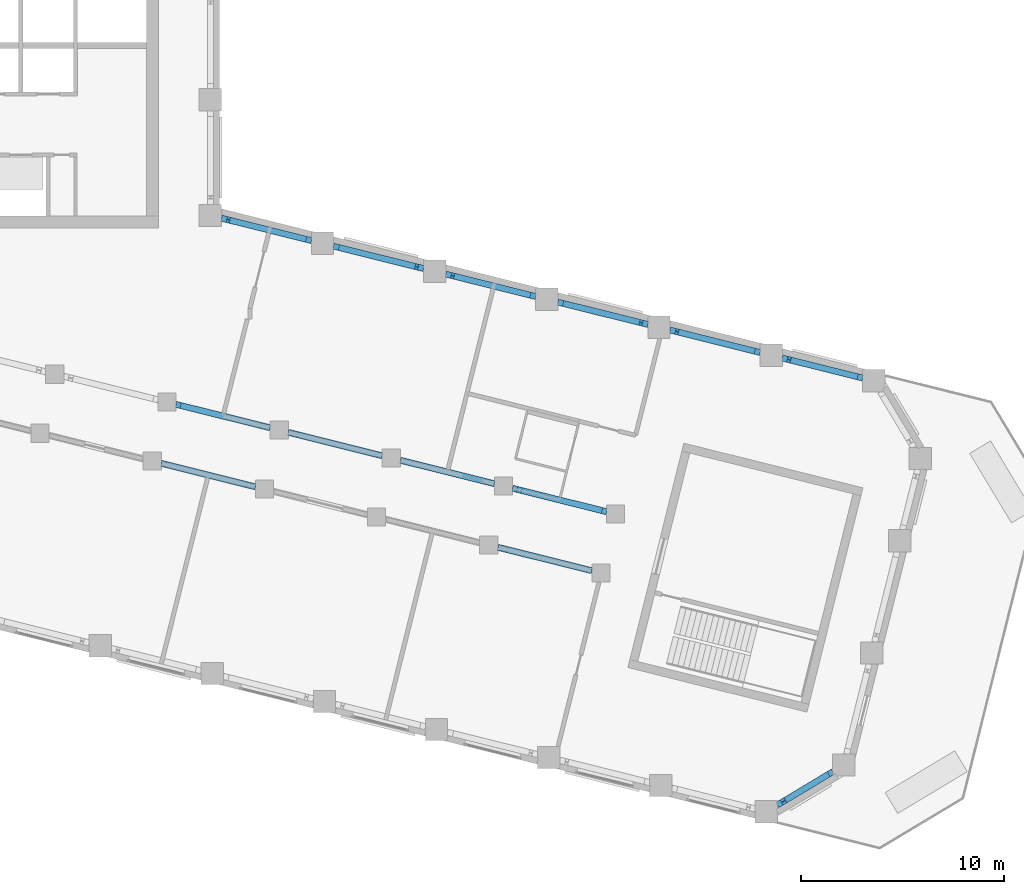
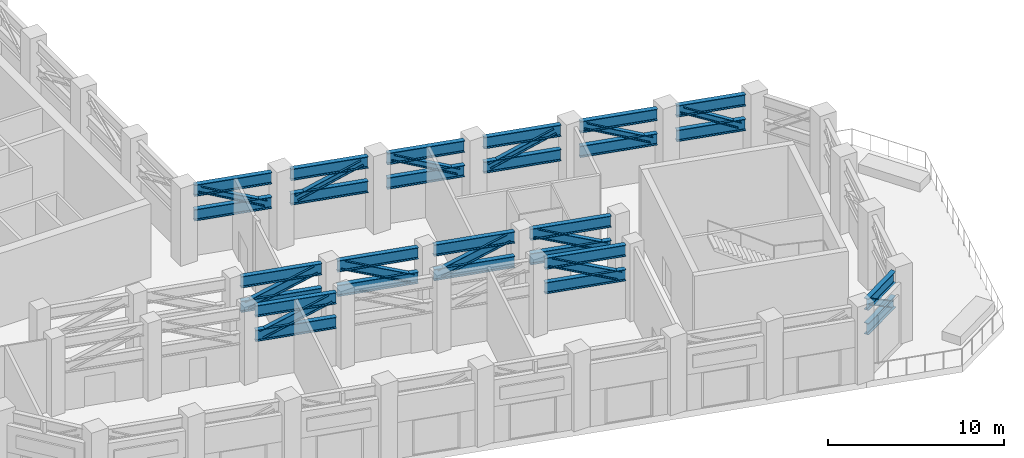
# One storey, part 5 of 21: 26 beams, 13 members.
"""IFC4 building model written with IfcOpenShell, lengths in metres."""

from ifc_helpers import new_model, si_unit, direction, frame, origin, origin_2d, place, context, subcontext, project, spatial, i_section, extrude, material, material_profile, profile_set, type_object, element, save


model = new_model("IFC4")

# Units and contexts
model_context = context("Model", 3, precision=1e-05, world=origin(), true_north=direction((0.0, 1.0)))
body_context = subcontext(model_context, "Body", "Model", "MODEL_VIEW")
ifc_project = project(units=[si_unit("LENGTHUNIT", "METRE"), si_unit("AREAUNIT", "SQUARE_METRE"), si_unit("VOLUMEUNIT", "CUBIC_METRE"), si_unit("PLANEANGLEUNIT", "RADIAN"), si_unit("MASSUNIT", "GRAM", prefix="KILO")], contexts=[model_context])

# Site, building, storey
site_placement = place(None, origin())
site = spatial("IfcSite", under=ifc_project, at=site_placement, CompositionType="ELEMENT")
building_placement = place(site_placement, origin())
building = spatial("IfcBuilding", under=site, at=building_placement, Name="Meshkara Civic Tower", CompositionType="ELEMENT")
storey_placement = place(building_placement, frame((0.0, 0.0, 284.39990234375)))
storey = spatial("IfcBuildingStorey", under=building, at=storey_placement, Name="L65", CompositionType="ELEMENT", Elevation=284.39990234375)

# Beams
ifc_material_1 = material(Name="Steel S355", Category="steel")
ifc_material_profile_1 = material_profile(ifc_material_1, i_section(OverallWidth=0.300048828125, OverallDepth=0.800048828125, WebThickness=0.017578125, FlangeThickness=0.032958984375, FilletRadius=0.030029296875, at=origin_2d()))
ifc_profile_set_1 = profile_set([ifc_material_profile_1], Name="Steel S355")
beam_type_1 = type_object("IfcBeamType", Name="Belt truss chord HEB 800 S355", PredefinedType="BEAM", material=ifc_profile_set_1)
for number, where, z_axis, x_axis, name in (
    (1, (60.4580078125, 7.9599609375, 4.7001953125), (-0.970286696562, 0.241958108925, 0.0), (-0.241958108925, -0.970286696562, 0.0), "Belt truss chord BBN05-BN04"),
    (2, (60.4580078125, 7.9599609375, 3.0), (-0.970286696562, 0.241958108925, 0.0), (-0.241958108925, -0.970286696562, 0.0), "Belt truss chord BBN05-BN04"),
):
    element("IfcBeam", number, at=place(storey_placement, frame(where, z_axis=z_axis, x_axis=x_axis)), inside=storey, type_object=beam_type_1, Name=name, PredefinedType="BEAM", context=body_context, shape_type="SweptSolid", body=[
        extrude(i_section(OverallWidth=0.300048828125, OverallDepth=0.800048828125, WebThickness=0.017578125, FlangeThickness=0.032958984375, FilletRadius=0.030029296875, at=origin_2d()), origin(), (0.0, 0.0, 1.0), 4.575927734375),
    ])
for number, where, z_axis, x_axis, name in (
    (3, (54.927978515625, 9.3388671875, 4.7001953125), (-0.970299186733, 0.241908016044, 0.0), (-0.241908016044, -0.970299186733, 0.0), "Belt truss chord BBN04-BN03"),
    (4, (54.927978515625, 9.3388671875, 3.0), (-0.970299186733, 0.241908016044, 0.0), (-0.241908016044, -0.970299186733, 0.0), "Belt truss chord BBN04-BN03"),
    (5, (49.39697265625, 10.718017578125, 4.7001953125), (-0.970299186733, 0.241908016044, 0.0), (-0.241908016044, -0.970299186733, 0.0), "Belt truss chord BBN03-BN02"),
    (6, (49.39697265625, 10.718017578125, 3.0), (-0.970299186733, 0.241908016044, 0.0), (-0.241908016044, -0.970299186733, 0.0), "Belt truss chord BBN03-BN02"),
):
    element("IfcBeam", number, at=place(storey_placement, frame(where, z_axis=z_axis, x_axis=x_axis)), inside=storey, type_object=beam_type_1, Name=name, PredefinedType="BEAM", context=body_context, shape_type="SweptSolid", body=[
        extrude(i_section(OverallWidth=0.300048828125, OverallDepth=0.800048828125, WebThickness=0.017578125, FlangeThickness=0.032958984375, FilletRadius=0.030029296875, at=origin_2d()), origin(), (0.0, 0.0, 1.0), 4.576904296875),
    ])
for number, where, z_axis, x_axis, name in (
    (7, (43.865966796875, 12.096923828125, 4.7001953125), (-0.970286696562, 0.241958108925, 0.0), (-0.241958108925, -0.970286696562, 0.0), "Belt truss chord BBN02-BN01"),
    (8, (43.865966796875, 12.096923828125, 3.0), (-0.970286696562, 0.241958108925, 0.0), (-0.241958108925, -0.970286696562, 0.0), "Belt truss chord BBN02-BN01"),
):
    element("IfcBeam", number, at=place(storey_placement, frame(where, z_axis=z_axis, x_axis=x_axis)), inside=storey, type_object=beam_type_1, Name=name, PredefinedType="BEAM", context=body_context, shape_type="SweptSolid", body=[
        extrude(i_section(OverallWidth=0.300048828125, OverallDepth=0.800048828125, WebThickness=0.017578125, FlangeThickness=0.032958984375, FilletRadius=0.030029296875, at=origin_2d()), origin(), (0.0, 0.0, 1.0), 4.575927734375),
    ])
for number, where, z_axis, x_axis, name in (
    (9, (38.3359375, 13.475830078125, 4.7001953125), (-0.970299186733, 0.241908016044, 0.0), (-0.241908016044, -0.970299186733, 0.0), "Belt truss chord BBN01-HE00"),
    (10, (38.3359375, 13.475830078125, 3.0), (-0.970299186733, 0.241908016044, 0.0), (-0.241908016044, -0.970299186733, 0.0), "Belt truss chord BBN01-HE00"),
):
    element("IfcBeam", number, at=place(storey_placement, frame(where, z_axis=z_axis, x_axis=x_axis)), inside=storey, type_object=beam_type_1, Name=name, PredefinedType="BEAM", context=body_context, shape_type="SweptSolid", body=[
        extrude(i_section(OverallWidth=0.300048828125, OverallDepth=0.800048828125, WebThickness=0.017578125, FlangeThickness=0.032958984375, FilletRadius=0.030029296875, at=origin_2d()), origin(), (0.0, 0.0, 1.0), 4.576904296875),
    ])
for number, where, z_axis, x_axis, name in (
    (11, (61.311767578125, -14.35888671875, 4.7001953125), (0.856992774951, 0.515328423126, 0.0), (-0.515328423126, 0.856992774951, 0.0), "Belt truss chord BBSEP4-BToEP4"),
    (12, (61.311767578125, -14.35888671875, 3.0), (0.856992774951, 0.515328423126, 0.0), (-0.515328423126, 0.856992774951, 0.0), "Belt truss chord BBSEP4-BToEP4"),
):
    element("IfcBeam", number, at=place(storey_placement, frame(where, z_axis=z_axis, x_axis=x_axis)), inside=storey, type_object=beam_type_1, Name=name, PredefinedType="BEAM", context=body_context, shape_type="SweptSolid", body=[
        extrude(i_section(OverallWidth=0.300048828125, OverallDepth=0.800048828125, WebThickness=0.017578125, FlangeThickness=0.032958984375, FilletRadius=0.030029296875, at=origin_2d()), origin(), (0.0, 0.0, 1.0), 3.189697265625),
    ])
for number, where, z_axis, x_axis, name in (
    (13, (65.517822265625, 6.697998046875, 4.7001953125), (-0.970282744603, 0.241973956296, 0.0), (-0.241973956296, -0.970282744603, 0.0), "Belt truss chord BBTi00-P4-BN05"),
    (14, (65.517822265625, 6.697998046875, 3.0), (-0.970282744603, 0.241973956296, 0.0), (-0.241973956296, -0.970282744603, 0.0), "Belt truss chord BBTi00-P4-BN05"),
):
    element("IfcBeam", number, at=place(storey_placement, frame(where, z_axis=z_axis, x_axis=x_axis)), inside=storey, type_object=beam_type_1, Name=name, PredefinedType="BEAM", context=body_context, shape_type="SweptSolid", body=[
        extrude(i_section(OverallWidth=0.300048828125, OverallDepth=0.800048828125, WebThickness=0.017578125, FlangeThickness=0.032958984375, FilletRadius=0.030029296875, at=origin_2d()), origin(), (0.0, 0.0, 1.0), 4.09130859375),
    ])
ifc_material_2 = material(Name="Steel S355", Category="steel")
ifc_material_profile_2 = material_profile(ifc_material_2, i_section(OverallWidth=0.300048828125, OverallDepth=0.7900390625, WebThickness=0.014892578125, FlangeThickness=0.028076171875, FilletRadius=0.030029296875, at=origin_2d()))
ifc_profile_set_2 = profile_set([ifc_material_profile_2], Name="Steel S355")
beam_type_2 = type_object("IfcBeamType", Name="Outrigger chord HEA 800 S355", PredefinedType="BEAM", material=ifc_profile_set_2)
for number, where, z_axis, x_axis, name in (
    (15, (30.93017578125, 2.490966796875, 4.705078125), (0.970298442389, -0.241911001604, 0.0), (0.241911001604, 0.970298442389, 0.0), "Outrigger chord OSB1-SB1-02-SB1-03"),
    (16, (30.93017578125, 2.490966796875, 3.005126953125), (0.970298442389, -0.241911001604, 0.0), (0.241911001604, 0.970298442389, 0.0), "Outrigger chord OSB1-SB1-02-SB1-03"),
    (17, (47.522216796875, -1.64599609375, 4.705078125), (0.970298442389, -0.241911001604, 0.0), (0.241911001604, 0.970298442389, 0.0), "Outrigger chord OSB1-SB1-05-SB1-06"),
    (18, (47.522216796875, -1.64599609375, 3.005126953125), (0.970298442389, -0.241911001604, 0.0), (0.241911001604, 0.970298442389, 0.0), "Outrigger chord OSB1-SB1-05-SB1-06"),
):
    element("IfcBeam", number, at=place(storey_placement, frame(where, z_axis=z_axis, x_axis=x_axis)), inside=storey, type_object=beam_type_2, Name=name, PredefinedType="BEAM", context=body_context, shape_type="SweptSolid", body=[
        extrude(i_section(OverallWidth=0.300048828125, OverallDepth=0.7900390625, WebThickness=0.014892578125, FlangeThickness=0.028076171875, FilletRadius=0.030029296875, at=origin_2d()), origin(), (0.0, 0.0, 1.0), 4.78271484375),
    ])
for number, where, z_axis, x_axis, name in (
    (19, (31.656005859375, 5.402099609375, 4.705078125), (0.970301429476, -0.241899020164, 0.0), (0.241899020164, 0.970301429476, 0.0), "Outrigger chord OSB2-SB2-02-SB2-03"),
    (20, (31.656005859375, 5.402099609375, 3.005126953125), (0.970301429476, -0.241899020164, 0.0), (0.241899020164, 0.970301429476, 0.0), "Outrigger chord OSB2-SB2-02-SB2-03"),
):
    element("IfcBeam", number, at=place(storey_placement, frame(where, z_axis=z_axis, x_axis=x_axis)), inside=storey, type_object=beam_type_2, Name=name, PredefinedType="BEAM", context=body_context, shape_type="SweptSolid", body=[
        extrude(i_section(OverallWidth=0.300048828125, OverallDepth=0.7900390625, WebThickness=0.014892578125, FlangeThickness=0.028076171875, FilletRadius=0.030029296875, at=origin_2d()), origin(), (0.0, 0.0, 1.0), 4.782958984375),
    ])
for number, where, z_axis, x_axis, name in (
    (21, (37.18701171875, 4.02294921875, 4.705078125), (0.970289478464, -0.241946952825, 0.0), (0.241946952825, 0.970289478464, 0.0), "Outrigger chord OSB2-SB2-03-SB2-04"),
    (22, (37.18701171875, 4.02294921875, 3.005126953125), (0.970289478464, -0.241946952825, 0.0), (0.241946952825, 0.970289478464, 0.0), "Outrigger chord OSB2-SB2-03-SB2-04"),
):
    element("IfcBeam", number, at=place(storey_placement, frame(where, z_axis=z_axis, x_axis=x_axis)), inside=storey, type_object=beam_type_2, Name=name, PredefinedType="BEAM", context=body_context, shape_type="SweptSolid", body=[
        extrude(i_section(OverallWidth=0.300048828125, OverallDepth=0.7900390625, WebThickness=0.014892578125, FlangeThickness=0.028076171875, FilletRadius=0.030029296875, at=origin_2d()), origin(), (0.0, 0.0, 1.0), 4.781982421875),
    ])
for number, where, z_axis, x_axis, name in (
    (23, (42.717041015625, 2.64404296875, 4.705078125), (0.970301429476, -0.241899020164, 0.0), (0.241899020164, 0.970301429476, 0.0), "Outrigger chord OSB2-SB2-04-SB2-05"),
    (24, (42.717041015625, 2.64404296875, 3.005126953125), (0.970301429476, -0.241899020164, 0.0), (0.241899020164, 0.970301429476, 0.0), "Outrigger chord OSB2-SB2-04-SB2-05"),
    (25, (48.248046875, 1.264892578125, 4.705078125), (0.970301429476, -0.241899020164, 0.0), (0.241899020164, 0.970301429476, 0.0), "Outrigger chord OSB2-SB2-05-SB2-06"),
    (26, (48.248046875, 1.264892578125, 3.005126953125), (0.970301429476, -0.241899020164, 0.0), (0.241899020164, 0.970301429476, 0.0), "Outrigger chord OSB2-SB2-05-SB2-06"),
):
    element("IfcBeam", number, at=place(storey_placement, frame(where, z_axis=z_axis, x_axis=x_axis)), inside=storey, type_object=beam_type_2, Name=name, PredefinedType="BEAM", context=body_context, shape_type="SweptSolid", body=[
        extrude(i_section(OverallWidth=0.300048828125, OverallDepth=0.7900390625, WebThickness=0.014892578125, FlangeThickness=0.028076171875, FilletRadius=0.030029296875, at=origin_2d()), origin(), (0.0, 0.0, 1.0), 4.782958984375),
    ])

# Members
ifc_material_3 = material(Name="Steel S355", Category="steel")
ifc_material_profile_3 = material_profile(ifc_material_3, i_section(OverallWidth=0.300048828125, OverallDepth=0.590087890625, WebThickness=0.012939453125, FlangeThickness=0.02490234375, FilletRadius=0.027099609375, at=origin_2d()))
ifc_profile_set_3 = profile_set([ifc_material_profile_3], Name="Steel S355")
member_type_1 = type_object("IfcMemberType", Name="Truss diagonal HEA 600 S355", PredefinedType="BRACE", material=ifc_profile_set_3)
for number, where, z_axis, x_axis, name in (
    (27, (31.269775390625, 2.40625, 3.005126953125), (0.895755564869, -0.22330403426, 0.384392086663), (0.241888331142, 0.970304094219, 0.0), "TD-OSB1-SB1-02-SB1-03-L65"),
    (28, (47.86181640625, -1.730712890625, 4.705078125), (0.895755564869, -0.22330403426, -0.384392086663), (0.241888331142, 0.970304094219, 0.0), "TD-OSB1-SB1-05-SB1-06-L65"),
):
    element("IfcMember", number, at=place(storey_placement, frame(where, z_axis=z_axis, x_axis=x_axis)), inside=storey, type_object=member_type_1, Name=name, PredefinedType="BRACE", context=body_context, shape_type="SweptSolid", body=[
        extrude(i_section(OverallWidth=0.300048828125, OverallDepth=0.590087890625, WebThickness=0.012939453125, FlangeThickness=0.02490234375, FilletRadius=0.027099609375, at=origin_2d()), origin(), (0.0, 0.0, 1.0), 4.42236328125),
    ])
member_1_placement = place(storey_placement, frame((31.995849609375, 5.3173828125, 3.005126953125), z_axis=(0.895744521292, -0.223356485465, 0.384387347575), x_axis=(0.241944630404, 0.97029005757, 0.0)))
element("IfcMember", 29, at=member_1_placement, inside=storey, type_object=member_type_1, Name="TD-OSB2-SB2-02-SB2-03-L65", PredefinedType="BRACE", context=body_context, shape_type="SweptSolid", body=[
    extrude(i_section(OverallWidth=0.300048828125, OverallDepth=0.590087890625, WebThickness=0.012939453125, FlangeThickness=0.02490234375, FilletRadius=0.027099609375, at=origin_2d()), origin(), (0.0, 0.0, 1.0), 4.422607421875),
])
member_2_placement = place(storey_placement, frame((37.526611328125, 3.938232421875, 4.705078125), z_axis=(0.895722828451, -0.223337165819, -0.384449118813), x_axis=(0.2419304439, 0.970293594905, 0.0)))
element("IfcMember", 30, at=member_2_placement, inside=storey, type_object=member_type_1, Name="TD-OSB2-SB2-03-SB2-04-L65", PredefinedType="BRACE", context=body_context, shape_type="SweptSolid", body=[
    extrude(i_section(OverallWidth=0.300048828125, OverallDepth=0.590087890625, WebThickness=0.012939453125, FlangeThickness=0.02490234375, FilletRadius=0.027099609375, at=origin_2d()), origin(), (0.0, 0.0, 1.0), 4.421875),
])
member_3_placement = place(storey_placement, frame((43.056884765625, 2.559326171875, 3.005126953125), z_axis=(0.895755564869, -0.22330403426, 0.384392086663), x_axis=(0.241888331142, 0.970304094219, 0.0)))
element("IfcMember", 31, at=member_3_placement, inside=storey, type_object=member_type_1, Name="TD-OSB2-SB2-04-SB2-05-L65", PredefinedType="BRACE", context=body_context, shape_type="SweptSolid", body=[
    extrude(i_section(OverallWidth=0.300048828125, OverallDepth=0.590087890625, WebThickness=0.012939453125, FlangeThickness=0.02490234375, FilletRadius=0.027099609375, at=origin_2d()), origin(), (0.0, 0.0, 1.0), 4.42236328125),
])
member_4_placement = place(storey_placement, frame((48.587890625, 1.180419921875, 4.705078125), z_axis=(0.895744521292, -0.223356485465, -0.384387347575), x_axis=(0.241944630404, 0.97029005757, 0.0)))
element("IfcMember", 32, at=member_4_placement, inside=storey, type_object=member_type_1, Name="TD-OSB2-SB2-05-SB2-06-L65", PredefinedType="BRACE", context=body_context, shape_type="SweptSolid", body=[
    extrude(i_section(OverallWidth=0.300048828125, OverallDepth=0.590087890625, WebThickness=0.012939453125, FlangeThickness=0.02490234375, FilletRadius=0.027099609375, at=origin_2d()), origin(), (0.0, 0.0, 1.0), 4.422607421875),
])
ifc_material_4 = material(Name="Steel S355", Category="steel")
ifc_material_profile_4 = material_profile(ifc_material_4, i_section(OverallWidth=0.300048828125, OverallDepth=0.39990234375, WebThickness=0.013427734375, FlangeThickness=0.02392578125, FilletRadius=0.027099609375, at=origin_2d()))
ifc_profile_set_4 = profile_set([ifc_material_profile_4], Name="Steel S355")
member_type_2 = type_object("IfcMemberType", Name="Truss diagonal HEB 400 S355", PredefinedType="BRACE", material=ifc_profile_set_4)
member_5_placement = place(storey_placement, frame((60.118408203125, 8.044677734375, 3.0), z_axis=(-0.888560193969, 0.221563211181, 0.401709503428), x_axis=(-0.241942737233, -0.970290529636, 0.0)))
element("IfcMember", 33, at=member_5_placement, inside=storey, type_object=member_type_2, Name="TD-BBN05-BN04-L65", PredefinedType="BRACE", context=body_context, shape_type="SweptSolid", body=[
    extrude(i_section(OverallWidth=0.300048828125, OverallDepth=0.39990234375, WebThickness=0.013427734375, FlangeThickness=0.02392578125, FilletRadius=0.027099609375, at=origin_2d()), origin(), (0.0, 0.0, 1.0), 4.232421875),
])
for number, where, z_axis, x_axis, name in (
    (34, (54.588134765625, 9.423583984375, 4.7001953125), (-0.888584470563, 0.221540500547, -0.40166832747), (-0.241913166558, -0.970297902629, 0.0), "TD-BBN04-BN03-L65"),
    (35, (49.05712890625, 10.802490234375, 3.0), (-0.888573114994, 0.221595346476, 0.401663194393), (-0.241972461201, -0.970283117456, 0.0), "TD-BBN03-BN02-L65"),
):
    element("IfcMember", number, at=place(storey_placement, frame(where, z_axis=z_axis, x_axis=x_axis)), inside=storey, type_object=member_type_2, Name=name, PredefinedType="BRACE", context=body_context, shape_type="SweptSolid", body=[
        extrude(i_section(OverallWidth=0.300048828125, OverallDepth=0.39990234375, WebThickness=0.013427734375, FlangeThickness=0.02392578125, FilletRadius=0.027099609375, at=origin_2d()), origin(), (0.0, 0.0, 1.0), 4.23291015625),
    ])
member_6_placement = place(storey_placement, frame((43.5263671875, 12.181640625, 4.7001953125), z_axis=(-0.888560193969, 0.221563211181, -0.401709503428), x_axis=(-0.241942737233, -0.970290529636, 0.0)))
element("IfcMember", 36, at=member_6_placement, inside=storey, type_object=member_type_2, Name="TD-BBN02-BN01-L65", PredefinedType="BRACE", context=body_context, shape_type="SweptSolid", body=[
    extrude(i_section(OverallWidth=0.300048828125, OverallDepth=0.39990234375, WebThickness=0.013427734375, FlangeThickness=0.02392578125, FilletRadius=0.027099609375, at=origin_2d()), origin(), (0.0, 0.0, 1.0), 4.232421875),
])
member_7_placement = place(storey_placement, frame((37.99609375, 13.560546875, 3.0), z_axis=(-0.888584470563, 0.221540500547, 0.40166832747), x_axis=(-0.241913166558, -0.970297902629, 0.0)))
element("IfcMember", 37, at=member_7_placement, inside=storey, type_object=member_type_2, Name="TD-BBN01-HE00-L65", PredefinedType="BRACE", context=body_context, shape_type="SweptSolid", body=[
    extrude(i_section(OverallWidth=0.300048828125, OverallDepth=0.39990234375, WebThickness=0.013427734375, FlangeThickness=0.02392578125, FilletRadius=0.027099609375, at=origin_2d()), origin(), (0.0, 0.0, 1.0), 4.23291015625),
])
member_8_placement = place(storey_placement, frame((61.61181640625, -14.178466796875, 4.7001953125), z_axis=(0.707704276679, 0.42556196063, -0.563960702917), x_axis=(-0.515331948028, 0.856990655341, 0.0)))
element("IfcMember", 38, at=member_8_placement, inside=storey, type_object=member_type_2, Name="TD-BBSEP4-BToEP4-L65", PredefinedType="BRACE", context=body_context, shape_type="SweptSolid", body=[
    extrude(i_section(OverallWidth=0.300048828125, OverallDepth=0.39990234375, WebThickness=0.013427734375, FlangeThickness=0.02392578125, FilletRadius=0.027099609375, at=origin_2d()), origin(), (0.0, 0.0, 1.0), 3.0146484375),
])
member_9_placement = place(storey_placement, frame((65.17822265625, 6.78271484375, 3.0), z_axis=(-0.867384698151, 0.216299151987, 0.448172357763), x_axis=(-0.241959659278, -0.970286309953, 0.0)))
element("IfcMember", 39, at=member_9_placement, inside=storey, type_object=member_type_2, Name="TD-BBTi00-P4-BN05-L65", PredefinedType="BRACE", context=body_context, shape_type="SweptSolid", body=[
    extrude(i_section(OverallWidth=0.300048828125, OverallDepth=0.39990234375, WebThickness=0.013427734375, FlangeThickness=0.02392578125, FilletRadius=0.027099609375, at=origin_2d()), origin(), (0.0, 0.0, 1.0), 3.793701171875),
])

save(model, "model.ifc")
